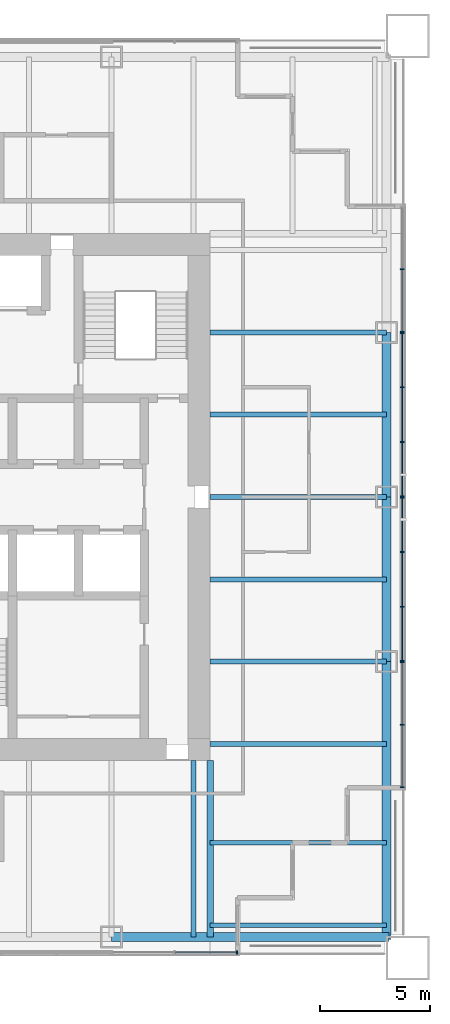
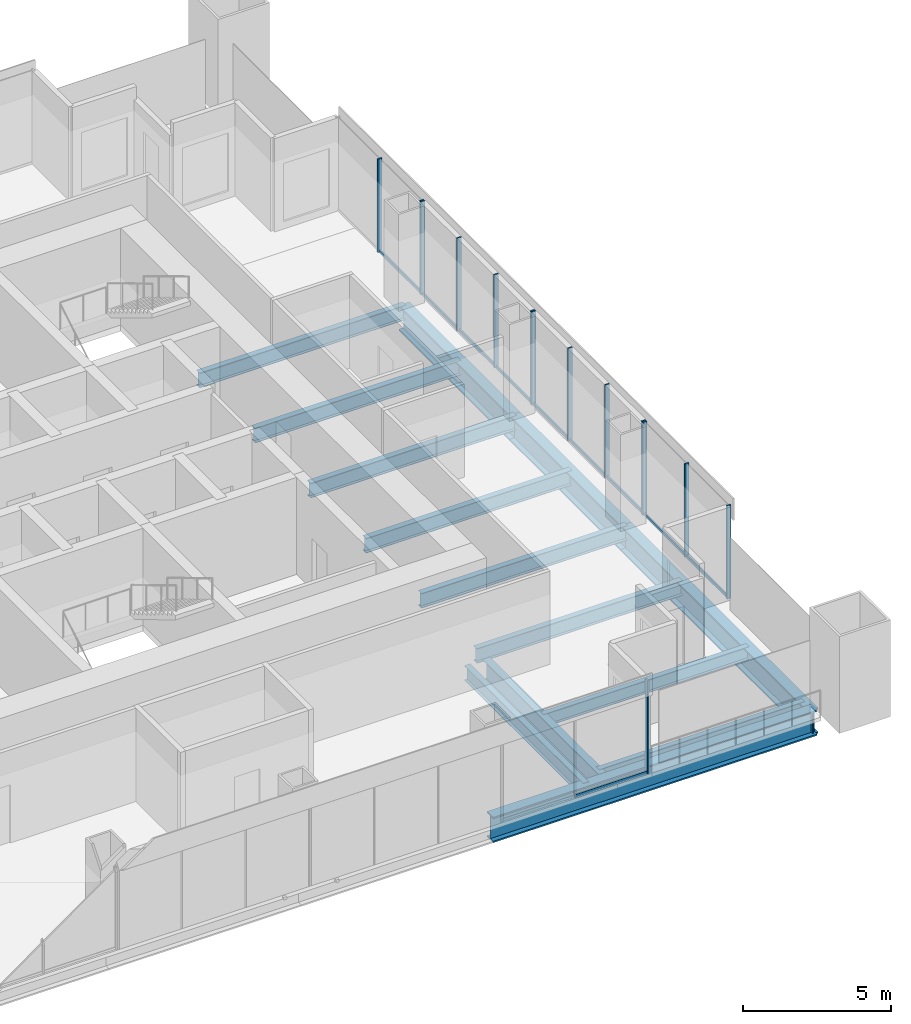
# One storey, part 5 of 14: 24 members, 14 beams, 5 elements without a shape of their own.
"""IFC4 building model written with IfcOpenShell, lengths in metres."""

from ifc_helpers import new_model, si_unit, direction, frame, origin, origin_2d, place, context, subcontext, project, spatial, rectangle, i_section, extrude, material, material_profile, profile_set, type_object, element, aggregate, save


model = new_model("IFC4")

# Units and contexts
model_context = context("Model", 3, precision=1e-05, world=origin(), true_north=direction((0.0, 1.0)))
body_context = subcontext(model_context, "Body", "Model", "MODEL_VIEW")
ifc_project = project(units=[si_unit("LENGTHUNIT", "METRE"), si_unit("AREAUNIT", "SQUARE_METRE"), si_unit("VOLUMEUNIT", "CUBIC_METRE"), si_unit("PLANEANGLEUNIT", "RADIAN"), si_unit("MASSUNIT", "GRAM", prefix="KILO")], contexts=[model_context])

# Site, building, storey
site_placement = place(None, origin())
site = spatial("IfcSite", under=ifc_project, at=site_placement, CompositionType="ELEMENT")
building_placement = place(site_placement, origin())
building = spatial("IfcBuilding", under=site, at=building_placement, Name="Tarangal Relay Tower", CompositionType="ELEMENT")
storey_placement = place(building_placement, frame((0.0, 0.0, 279.89990234375)))
storey = spatial("IfcBuildingStorey", under=building, at=storey_placement, Name="L61", CompositionType="ELEMENT", Elevation=279.89990234375)

# Beams
ifc_material_1 = material(Name="Steel ASTM A992", Category="steel")
ifc_material_profile_1 = material_profile(ifc_material_1, i_section(OverallWidth=0.209228515625, OverallDepth=0.533447265625, WebThickness=0.01025390625, FlangeThickness=0.015625, at=origin_2d()), Name="W21X62")
ifc_profile_set_1 = profile_set([ifc_material_profile_1], Name="Steel ASTM A992")
beam_type_1 = type_object("IfcBeamType", Name="Corner beam W21X62", PredefinedType="JOIST", material=ifc_profile_set_1)
for number, where, z_axis, x_axis, name in (
    (1, (12.0, -15.75, -0.41650390625), (1.0, 0.0, 0.0), (0.0, 1.0, 0.0), "Corner beam CB12 E L61"),
    (2, (12.0, -19.5, -0.41650390625), (1.0, 0.0, 0.0), (0.0, 1.0, 0.0), "Corner beam CB12 E L61"),
):
    element("IfcBeam", number, at=place(storey_placement, frame(where, z_axis=z_axis, x_axis=x_axis)), inside=storey, type_object=beam_type_1, Name=name, PredefinedType="JOIST", context=body_context, shape_type="SweptSolid", body=[
        extrude(i_section(OverallWidth=0.209228515625, OverallDepth=0.533447265625, WebThickness=0.01025390625, FlangeThickness=0.015625, at=origin_2d()), origin(), (0.0, 0.0, 1.0), 8.0400390625),
    ])
ifc_material_profile_2 = material_profile(ifc_material_1, i_section(OverallWidth=0.2919921875, OverallDepth=0.8408203125, WebThickness=0.0146484375, FlangeThickness=0.021728515625, at=origin_2d()), Name="W33X130")
ifc_profile_set_2 = profile_set([ifc_material_profile_2], Name="Steel ASTM A992")
beam_type_2 = type_object("IfcBeamType", Name="Corner girder W33X130", PredefinedType="BEAM", material=ifc_profile_set_2)
beam_placement = place(storey_placement, frame((12.0, -12.0, -0.5703125), z_axis=(0.0, -1.0, 0.0), x_axis=(1.0, 0.0, 0.0)))
element("IfcBeam", 3, at=beam_placement, inside=storey, type_object=beam_type_2, Name="Corner girder CG5 E L61", PredefinedType="BEAM", context=body_context, shape_type="SweptSolid", body=[
    extrude(i_section(OverallWidth=0.2919921875, OverallDepth=0.8408203125, WebThickness=0.0146484375, FlangeThickness=0.021728515625, at=origin_2d()), origin(), (0.0, 0.0, 1.0), 8.0400390625),
])
ifc_material_profile_3 = material_profile(ifc_material_1, i_section(OverallWidth=0.41162109375, OverallDepth=1.049072265625, WebThickness=0.033935546875, FlangeThickness=0.059814453125, at=origin_2d()), Name="W40X431")
ifc_profile_set_3 = profile_set([ifc_material_profile_3], Name="Steel ASTM A992")
beam_type_3 = type_object("IfcBeamType", Name="Edge girder W40X431", PredefinedType="SPANDREL", material=ifc_profile_set_3)
for number, where, z_axis, x_axis, name in (
    (4, (20.0400390625, 7.5, -0.67431640625), (0.0, -1.0, 0.0), (1.0, 0.0, 0.0), "Edge girder EG1 E L61"),
    (5, (20.0400390625, 0.0, -0.67431640625), (0.0, -1.0, 0.0), (1.0, 0.0, 0.0), "Edge girder EG1 E L61"),
):
    element("IfcBeam", number, at=place(storey_placement, frame(where, z_axis=z_axis, x_axis=x_axis)), inside=storey, type_object=beam_type_3, Name=name, PredefinedType="SPANDREL", context=body_context, shape_type="SweptSolid", body=[
        extrude(i_section(OverallWidth=0.41162109375, OverallDepth=1.049072265625, WebThickness=0.033935546875, FlangeThickness=0.059814453125, at=origin_2d()), origin(), (0.0, 0.0, 1.0), 7.5),
    ])
for number, where, z_axis, x_axis, name in (
    (6, (20.0400390625, -7.5, -0.67431640625), (0.0, -1.0, 0.0), (1.0, 0.0, 0.0), "Edge girder EG1 E L61"),
    (7, (20.14990234375, -20.0400390625, -0.67431640625), (-1.0, 0.0, 0.0), (0.0, -1.0, 0.0), "Edge girder EG1 S L61"),
):
    element("IfcBeam", number, at=place(storey_placement, frame(where, z_axis=z_axis, x_axis=x_axis)), inside=storey, type_object=beam_type_3, Name=name, PredefinedType="SPANDREL", context=body_context, shape_type="SweptSolid", body=[
        extrude(i_section(OverallWidth=0.41162109375, OverallDepth=1.049072265625, WebThickness=0.033935546875, FlangeThickness=0.059814453125, at=origin_2d()), origin(), (0.0, 0.0, 1.0), 12.64990234375),
    ])
ifc_material_profile_4 = material_profile(ifc_material_1, i_section(OverallWidth=0.228271484375, OverallDepth=0.607177734375, WebThickness=0.01123046875, FlangeThickness=0.017333984375, at=origin_2d()), Name="W24X76")
ifc_profile_set_4 = profile_set([ifc_material_profile_4], Name="Steel ASTM A992")
beam_type_4 = type_object("IfcBeamType", Name="Floor beam W24X76", PredefinedType="BEAM", material=ifc_profile_set_4)
for number, where, z_axis, x_axis, name in (
    (8, (12.0, 7.5, -0.453369140625), (1.0, 0.0, 0.0), (0.0, 1.0, 0.0), "Floor beam RB5 E L61"),
    (9, (12.0, 3.75, -0.453369140625), (1.0, 0.0, 0.0), (0.0, 1.0, 0.0), "Floor beam RB5 E L61"),
    (10, (12.0, 0.0, -0.453369140625), (1.0, 0.0, 0.0), (0.0, 1.0, 0.0), "Floor beam RB5 E L61"),
    (11, (12.0, -3.75, -0.453369140625), (1.0, 0.0, 0.0), (0.0, 1.0, 0.0), "Floor beam RB5 E L61"),
    (12, (12.0, -7.5, -0.453369140625), (1.0, 0.0, 0.0), (0.0, 1.0, 0.0), "Floor beam RB5 E L61"),
    (13, (12.0, -11.25, -0.453369140625), (1.0, 0.0, 0.0), (0.0, 1.0, 0.0), "Floor beam RB5 E L61"),
    (14, (11.25, -12.0, -0.453369140625), (0.0, -1.0, 0.0), (1.0, 0.0, 0.0), "Floor beam RB5 S L61"),
):
    element("IfcBeam", number, at=place(storey_placement, frame(where, z_axis=z_axis, x_axis=x_axis)), inside=storey, type_object=beam_type_4, Name=name, PredefinedType="BEAM", context=body_context, shape_type="SweptSolid", body=[
        extrude(i_section(OverallWidth=0.228271484375, OverallDepth=0.607177734375, WebThickness=0.01123046875, FlangeThickness=0.017333984375, at=origin_2d()), origin(), (0.0, 0.0, 1.0), 8.0400390625),
    ])

# Curtain wall, members
ifc_material_2 = material(Name="Unitised curtain wall, dark glass and black aluminium", Category="aluminium")
curtain_wall_type_1 = type_object("IfcCurtainWallType", Name="Curtain wall CW-B", PredefinedType="USERDEFINED", material=ifc_material_2)
curtain_wall_1_placement = place(storey_placement, origin())
curtain_wall_1 = element("IfcCurtainWall", 15, at=curtain_wall_1_placement, inside=storey, type_object=curtain_wall_type_1, Name="Curtain wall CW-B E facade L61", ObjectType="UNITISED CURTAIN WALL", PredefinedType="USERDEFINED")
ifc_material_3 = material(Name="Black anodised aluminium mullion", Category="aluminium")
ifc_material_profile_5 = material_profile(ifc_material_3, rectangle(XDim=0.159912109375, YDim=0.06005859375, at=origin_2d()), Name="CW-BM 60X160")
ifc_profile_set_5 = profile_set([ifc_material_profile_5], Name="Black anodised aluminium mullion")
member_type_1 = type_object("IfcMemberType", Name="Mullion CW-B 60 x 160", PredefinedType="MULLION", material=ifc_profile_set_5)
member_1_placement = place(storey_placement, frame((20.75, 10.375, 0.0), z_axis=(0.0, 0.0, 1.0), x_axis=(1.0, 0.0, 0.0)))
member_1 = element("IfcMember", 16, at=member_1_placement, type_object=member_type_1, Name="CW-B mullion 2", PredefinedType="MULLION", context=body_context, shape_type="SweptSolid", body=[
    extrude(rectangle(XDim=0.159912109375, YDim=0.06005859375, at=origin_2d()), origin(), (0.0, 0.0, 1.0), 3.85009765625),
])
member_2_placement = place(storey_placement, frame((20.75, 7.530029296875, 0.0), z_axis=(0.0, 0.0, 1.0), x_axis=(1.0, 0.0, 0.0)))
member_2 = element("IfcMember", 17, at=member_2_placement, type_object=member_type_1, Name="CW-B mullion 3", PredefinedType="MULLION", context=body_context, shape_type="SweptSolid", body=[
    extrude(rectangle(XDim=0.159912109375, YDim=0.06005859375, at=origin_2d()), origin(), (0.0, 0.0, 1.0), 3.85009765625),
])

curtain_wall_2_placement = place(storey_placement, origin())
curtain_wall_2 = element("IfcCurtainWall", 18, at=curtain_wall_2_placement, inside=storey, type_object=curtain_wall_type_1, Name="Curtain wall CW-B E facade L61", ObjectType="UNITISED CURTAIN WALL", PredefinedType="USERDEFINED")
member_3_placement = place(storey_placement, frame((20.75, -7.530029296875, 0.0), z_axis=(0.0, 0.0, 1.0), x_axis=(1.0, 0.0, 0.0)))
member_3 = element("IfcMember", 19, at=member_3_placement, type_object=member_type_1, Name="CW-B mullion 1", PredefinedType="MULLION", context=body_context, shape_type="SweptSolid", body=[
    extrude(rectangle(XDim=0.159912109375, YDim=0.06005859375, at=origin_2d()), origin(), (0.0, 0.0, 1.0), 3.85009765625),
])
member_4_placement = place(storey_placement, frame((20.75, -10.375, 0.0), z_axis=(0.0, 0.0, 1.0), x_axis=(1.0, 0.0, 0.0)))
member_4 = element("IfcMember", 20, at=member_4_placement, type_object=member_type_1, Name="CW-B mullion 2", PredefinedType="MULLION", context=body_context, shape_type="SweptSolid", body=[
    extrude(rectangle(XDim=0.159912109375, YDim=0.06005859375, at=origin_2d()), origin(), (0.0, 0.0, 1.0), 3.85009765625),
])
member_5_placement = place(storey_placement, frame((20.75, -13.219970703125, 0.0), z_axis=(0.0, 0.0, 1.0), x_axis=(1.0, 0.0, 0.0)))
member_5 = element("IfcMember", 21, at=member_5_placement, type_object=member_type_1, Name="CW-B mullion 3", PredefinedType="MULLION", context=body_context, shape_type="SweptSolid", body=[
    extrude(rectangle(XDim=0.159912109375, YDim=0.06005859375, at=origin_2d()), origin(), (0.0, 0.0, 1.0), 3.85009765625),
])

# Curtain wall, member
curtain_wall_3_placement = place(storey_placement, origin())
curtain_wall_3 = element("IfcCurtainWall", 22, at=curtain_wall_3_placement, inside=storey, type_object=curtain_wall_type_1, Name="Curtain wall CW-B S facade L61", ObjectType="UNITISED CURTAIN WALL", PredefinedType="USERDEFINED")
member_6_placement = place(storey_placement, frame((13.219970703125, -20.75, 0.0), z_axis=(0.0, 0.0, 1.0), x_axis=(0.0, -1.0, 0.0)))
member_6 = element("IfcMember", 23, at=member_6_placement, type_object=member_type_1, Name="CW-B mullion 1", PredefinedType="MULLION", context=body_context, shape_type="SweptSolid", body=[
    extrude(rectangle(XDim=0.159912109375, YDim=0.06005859375, at=origin_2d()), origin(), (0.0, 0.0, 1.0), 3.85009765625),
])

# Curtain wall, members
ifc_material_4 = material(Name="Unitised curtain wall frame, black aluminium, with metal clad infill walls", Category="aluminium")
curtain_wall_type_2 = type_object("IfcCurtainWallType", Name="Curtain wall CW-BO", PredefinedType="USERDEFINED", material=ifc_material_4)
curtain_wall_4_placement = place(storey_placement, origin())
curtain_wall_4 = element("IfcCurtainWall", 24, at=curtain_wall_4_placement, inside=storey, type_object=curtain_wall_type_2, Name="Curtain wall CW-BO E facade L61", ObjectType="UNITISED CURTAIN WALL", PredefinedType="USERDEFINED")
ifc_material_profile_6 = material_profile(ifc_material_3, rectangle(XDim=0.159912109375, YDim=0.06005859375, at=origin_2d()), Name="CW-BOM 60X160")
ifc_profile_set_6 = profile_set([ifc_material_profile_6], Name="Black anodised aluminium mullion")
member_type_2 = type_object("IfcMemberType", Name="Mullion CW-BO 60 x 160", PredefinedType="MULLION", material=ifc_profile_set_6)
member_7_placement = place(storey_placement, frame((20.75, 7.469970703125, 0.0), z_axis=(0.0, 0.0, 1.0), x_axis=(1.0, 0.0, 0.0)))
member_7 = element("IfcMember", 25, at=member_7_placement, type_object=member_type_2, Name="CW-BO mullion 1", PredefinedType="MULLION", context=body_context, shape_type="SweptSolid", body=[
    extrude(rectangle(XDim=0.159912109375, YDim=0.06005859375, at=origin_2d()), origin(), (0.0, 0.0, 1.0), 3.85009765625),
])
member_8_placement = place(storey_placement, frame((20.75, 5.0, 0.0), z_axis=(0.0, 0.0, 1.0), x_axis=(1.0, 0.0, 0.0)))
member_8 = element("IfcMember", 26, at=member_8_placement, type_object=member_type_2, Name="CW-BO mullion 2", PredefinedType="MULLION", context=body_context, shape_type="SweptSolid", body=[
    extrude(rectangle(XDim=0.159912109375, YDim=0.06005859375, at=origin_2d()), origin(), (0.0, 0.0, 1.0), 3.85009765625),
])
member_9_placement = place(storey_placement, frame((20.75, 2.5, 0.0), z_axis=(0.0, 0.0, 1.0), x_axis=(1.0, 0.0, 0.0)))
member_9 = element("IfcMember", 27, at=member_9_placement, type_object=member_type_2, Name="CW-BO mullion 3", PredefinedType="MULLION", context=body_context, shape_type="SweptSolid", body=[
    extrude(rectangle(XDim=0.159912109375, YDim=0.06005859375, at=origin_2d()), origin(), (0.0, 0.0, 1.0), 3.85009765625),
])
member_10_placement = place(storey_placement, frame((20.75, 0.030029296875, 0.0), z_axis=(0.0, 0.0, 1.0), x_axis=(1.0, 0.0, 0.0)))
member_10 = element("IfcMember", 28, at=member_10_placement, type_object=member_type_2, Name="CW-BO mullion 4", PredefinedType="MULLION", context=body_context, shape_type="SweptSolid", body=[
    extrude(rectangle(XDim=0.159912109375, YDim=0.06005859375, at=origin_2d()), origin(), (0.0, 0.0, 1.0), 3.85009765625),
])

curtain_wall_5_placement = place(storey_placement, origin())
curtain_wall_5 = element("IfcCurtainWall", 29, at=curtain_wall_5_placement, inside=storey, type_object=curtain_wall_type_2, Name="Curtain wall CW-BO E facade L61", ObjectType="UNITISED CURTAIN WALL", PredefinedType="USERDEFINED")
member_11_placement = place(storey_placement, frame((20.75, -0.030029296875, 0.0), z_axis=(0.0, 0.0, 1.0), x_axis=(1.0, 0.0, 0.0)))
member_11 = element("IfcMember", 30, at=member_11_placement, type_object=member_type_2, Name="CW-BO mullion 1", PredefinedType="MULLION", context=body_context, shape_type="SweptSolid", body=[
    extrude(rectangle(XDim=0.159912109375, YDim=0.06005859375, at=origin_2d()), origin(), (0.0, 0.0, 1.0), 3.85009765625),
])
member_12_placement = place(storey_placement, frame((20.75, -2.5, 0.0), z_axis=(0.0, 0.0, 1.0), x_axis=(1.0, 0.0, 0.0)))
member_12 = element("IfcMember", 31, at=member_12_placement, type_object=member_type_2, Name="CW-BO mullion 2", PredefinedType="MULLION", context=body_context, shape_type="SweptSolid", body=[
    extrude(rectangle(XDim=0.159912109375, YDim=0.06005859375, at=origin_2d()), origin(), (0.0, 0.0, 1.0), 3.85009765625),
])
member_13_placement = place(storey_placement, frame((20.75, -5.0, 0.0), z_axis=(0.0, 0.0, 1.0), x_axis=(1.0, 0.0, 0.0)))
member_13 = element("IfcMember", 32, at=member_13_placement, type_object=member_type_2, Name="CW-BO mullion 3", PredefinedType="MULLION", context=body_context, shape_type="SweptSolid", body=[
    extrude(rectangle(XDim=0.159912109375, YDim=0.06005859375, at=origin_2d()), origin(), (0.0, 0.0, 1.0), 3.85009765625),
])
member_14_placement = place(storey_placement, frame((20.75, -7.469970703125, 0.0), z_axis=(0.0, 0.0, 1.0), x_axis=(1.0, 0.0, 0.0)))
member_14 = element("IfcMember", 33, at=member_14_placement, type_object=member_type_2, Name="CW-BO mullion 4", PredefinedType="MULLION", context=body_context, shape_type="SweptSolid", body=[
    extrude(rectangle(XDim=0.159912109375, YDim=0.06005859375, at=origin_2d()), origin(), (0.0, 0.0, 1.0), 3.85009765625),
])

# Member
ifc_material_5 = material(Name="Black anodised aluminium transom", Category="aluminium")
ifc_material_profile_7 = material_profile(ifc_material_5, rectangle(XDim=0.06005859375, YDim=0.1298828125, at=origin_2d()), Name="CW-BT 60X130")
ifc_profile_set_7 = profile_set([ifc_material_profile_7], Name="Black anodised aluminium transom")
member_type_3 = type_object("IfcMemberType", Name="Transom CW-B 60 x 130", PredefinedType="USERDEFINED", material=ifc_profile_set_7)
member_15_placement = place(storey_placement, frame((20.75, 10.344970703125, 0.030029296875), z_axis=(0.0, -1.0, 0.0), x_axis=(1.0, 0.0, 0.0)))
member_15 = element("IfcMember", 34, at=member_15_placement, type_object=member_type_3, Name="CW-B transom 2.1", ObjectType="TRANSOM", PredefinedType="USERDEFINED", context=body_context, shape_type="SweptSolid", body=[
    extrude(rectangle(XDim=0.06005859375, YDim=0.1298828125, at=origin_2d()), origin(), (0.0, 0.0, 1.0), 2.784912109375),
])

aggregate(curtain_wall_1, [member_1, member_2, member_15])

member_16_placement = place(storey_placement, frame((20.75, -7.56005859375, 0.030029296875), z_axis=(0.0, -1.0, 0.0), x_axis=(1.0, 0.0, 0.0)))
member_16 = element("IfcMember", 35, at=member_16_placement, type_object=member_type_3, Name="CW-B transom 1.1", ObjectType="TRANSOM", PredefinedType="USERDEFINED", context=body_context, shape_type="SweptSolid", body=[
    extrude(rectangle(XDim=0.06005859375, YDim=0.1298828125, at=origin_2d()), origin(), (0.0, 0.0, 1.0), 2.784912109375),
])

member_17_placement = place(storey_placement, frame((20.75, -10.405029296875, 0.030029296875), z_axis=(0.0, -1.0, 0.0), x_axis=(1.0, 0.0, 0.0)))
member_17 = element("IfcMember", 36, at=member_17_placement, type_object=member_type_3, Name="CW-B transom 2.1", ObjectType="TRANSOM", PredefinedType="USERDEFINED", context=body_context, shape_type="SweptSolid", body=[
    extrude(rectangle(XDim=0.06005859375, YDim=0.1298828125, at=origin_2d()), origin(), (0.0, 0.0, 1.0), 2.784912109375),
])

aggregate(curtain_wall_2, [member_3, member_4, member_5, member_16, member_17])

member_18_placement = place(storey_placement, frame((13.18994140625, -20.75, 0.030029296875), z_axis=(-1.0, 0.0, 0.0), x_axis=(0.0, -1.0, 0.0)))
member_18 = element("IfcMember", 37, at=member_18_placement, type_object=member_type_3, Name="CW-B transom 1.1", ObjectType="TRANSOM", PredefinedType="USERDEFINED", context=body_context, shape_type="SweptSolid", body=[
    extrude(rectangle(XDim=0.06005859375, YDim=0.1298828125, at=origin_2d()), origin(), (0.0, 0.0, 1.0), 2.784912109375),
])

aggregate(curtain_wall_3, [member_6, member_18])

ifc_material_profile_8 = material_profile(ifc_material_5, rectangle(XDim=0.06005859375, YDim=0.1298828125, at=origin_2d()), Name="CW-BOT 60X130")
ifc_profile_set_8 = profile_set([ifc_material_profile_8], Name="Black anodised aluminium transom")
member_type_4 = type_object("IfcMemberType", Name="Transom CW-BO 60 x 130", PredefinedType="USERDEFINED", material=ifc_profile_set_8)
member_19_placement = place(storey_placement, frame((20.75, 7.43994140625, 0.030029296875), z_axis=(0.0, -1.0, 0.0), x_axis=(1.0, 0.0, 0.0)))
member_19 = element("IfcMember", 38, at=member_19_placement, type_object=member_type_4, Name="CW-BO transom 1.1", ObjectType="TRANSOM", PredefinedType="USERDEFINED", context=body_context, shape_type="SweptSolid", body=[
    extrude(rectangle(XDim=0.06005859375, YDim=0.1298828125, at=origin_2d()), origin(), (0.0, 0.0, 1.0), 2.409912109375),
])

member_20_placement = place(storey_placement, frame((20.75, 4.969970703125, 0.030029296875), z_axis=(0.0, -1.0, 0.0), x_axis=(1.0, 0.0, 0.0)))
member_20 = element("IfcMember", 39, at=member_20_placement, type_object=member_type_4, Name="CW-BO transom 2.1", ObjectType="TRANSOM", PredefinedType="USERDEFINED", context=body_context, shape_type="SweptSolid", body=[
    extrude(rectangle(XDim=0.06005859375, YDim=0.1298828125, at=origin_2d()), origin(), (0.0, 0.0, 1.0), 2.43994140625),
])

member_21_placement = place(storey_placement, frame((20.75, 2.469970703125, 0.030029296875), z_axis=(0.0, -1.0, 0.0), x_axis=(1.0, 0.0, 0.0)))
member_21 = element("IfcMember", 40, at=member_21_placement, type_object=member_type_4, Name="CW-BO transom 3.1", ObjectType="TRANSOM", PredefinedType="USERDEFINED", context=body_context, shape_type="SweptSolid", body=[
    extrude(rectangle(XDim=0.06005859375, YDim=0.1298828125, at=origin_2d()), origin(), (0.0, 0.0, 1.0), 2.409912109375),
])

aggregate(curtain_wall_4, [member_7, member_8, member_9, member_10, member_19, member_20, member_21])

member_22_placement = place(storey_placement, frame((20.75, -0.06005859375, 0.030029296875), z_axis=(0.0, -1.0, 0.0), x_axis=(1.0, 0.0, 0.0)))
member_22 = element("IfcMember", 41, at=member_22_placement, type_object=member_type_4, Name="CW-BO transom 1.1", ObjectType="TRANSOM", PredefinedType="USERDEFINED", context=body_context, shape_type="SweptSolid", body=[
    extrude(rectangle(XDim=0.06005859375, YDim=0.1298828125, at=origin_2d()), origin(), (0.0, 0.0, 1.0), 2.409912109375),
])

member_23_placement = place(storey_placement, frame((20.75, -2.530029296875, 0.030029296875), z_axis=(0.0, -1.0, 0.0), x_axis=(1.0, 0.0, 0.0)))
member_23 = element("IfcMember", 42, at=member_23_placement, type_object=member_type_4, Name="CW-BO transom 2.1", ObjectType="TRANSOM", PredefinedType="USERDEFINED", context=body_context, shape_type="SweptSolid", body=[
    extrude(rectangle(XDim=0.06005859375, YDim=0.1298828125, at=origin_2d()), origin(), (0.0, 0.0, 1.0), 2.43994140625),
])

member_24_placement = place(storey_placement, frame((20.75, -5.030029296875, 0.030029296875), z_axis=(0.0, -1.0, 0.0), x_axis=(1.0, 0.0, 0.0)))
member_24 = element("IfcMember", 43, at=member_24_placement, type_object=member_type_4, Name="CW-BO transom 3.1", ObjectType="TRANSOM", PredefinedType="USERDEFINED", context=body_context, shape_type="SweptSolid", body=[
    extrude(rectangle(XDim=0.06005859375, YDim=0.1298828125, at=origin_2d()), origin(), (0.0, 0.0, 1.0), 2.409912109375),
])

aggregate(curtain_wall_5, [member_11, member_12, member_13, member_14, member_22, member_23, member_24])

save(model, "model.ifc")
